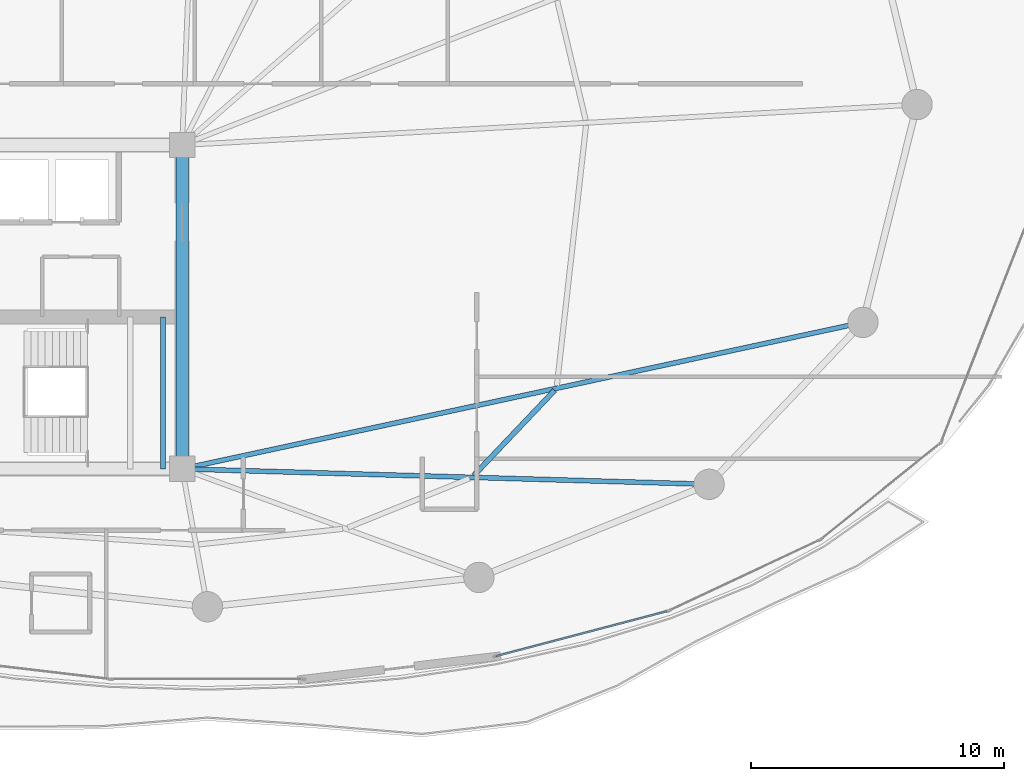
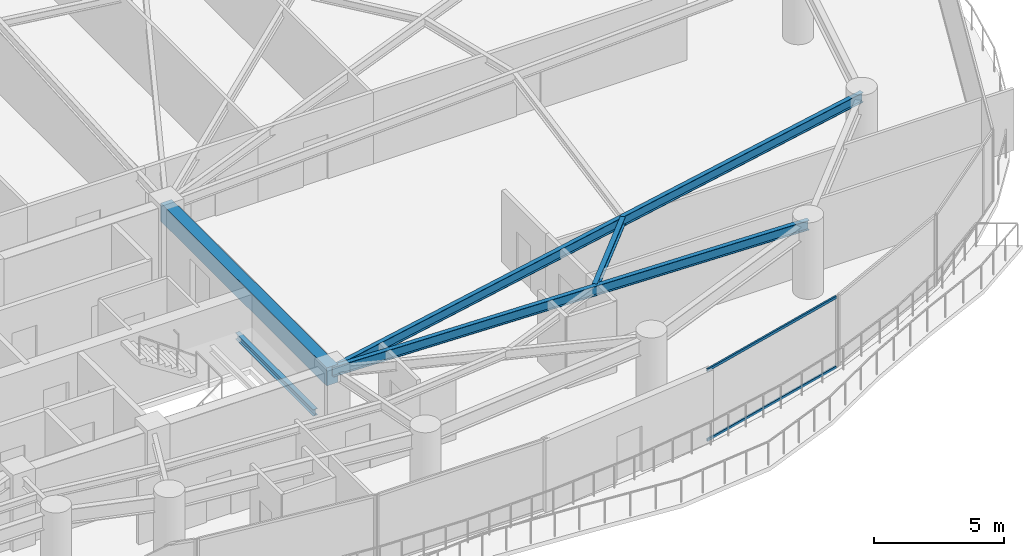
# One storey, part 13 of 33: 5 beams, 2 members, 1 element without a shape of its own.
"""IFC4 building model written with IfcOpenShell, lengths in metres."""

import ifcopenshell
import ifcopenshell.guid

model = None  # the IFC model being written
_history = None  # IfcOwnerHistory: only IFC2X3 demands one
_inside = {}  # id of a spatial element -> (the spatial element, [elements in it])
_under = {}  # id of a project, library or spatial element -> (it, [spatial elements below it])
_declared = {}  # id of a project -> (the project, [libraries it declares])
_typed = {}  # id of a type object -> (the type object, [elements of that type])
_made_of = {}  # id of a material, layer set ... -> (it, [elements and type objects made of it])


def new_model(schema):
    """Start an empty IFC model of exactly this schema.

    Asked for "IFC4X3", IfcOpenShell would pick the latest addendum, in which some entities
    have other attributes; the version numbers below select the first issue.
    IFC2X3 requires an IfcOwnerHistory on every rooted entity: one is made here for all.
    """
    global model, _history
    if schema == "IFC4X3":
        model = ifcopenshell.file(schema_version=(4, 3, 0, 0))
    else:
        model = ifcopenshell.file(schema=schema)
    _inside.clear()
    _under.clear()
    _declared.clear()
    _typed.clear()
    _made_of.clear()
    _history = None
    if model.schema == "IFC2X3":
        org = make("IfcOrganization", Name="unknown")
        user = make(
            "IfcPersonAndOrganization",
            ThePerson=make("IfcPerson", FamilyName="unknown"),
            TheOrganization=org,
        )
        app = make(
            "IfcApplication",
            ApplicationDeveloper=org,
            Version="unknown",
            ApplicationFullName="unknown",
            ApplicationIdentifier="unknown",
        )
        _history = make(
            "IfcOwnerHistory",
            OwningUser=user,
            OwningApplication=app,
            ChangeAction="ADDED",
            CreationDate=0,
        )
    return model


def make(cls, **values):
    """One entity of the class cls with the attributes given. An attribute that is None is left unset."""
    return model.create_entity(
        cls, **{name: value for name, value in values.items() if value is not None}
    )


def rooted(cls, **values):
    """An entity with a GlobalId (a new one), such as an element, a storey or a relation."""
    return make(cls, GlobalId=ifcopenshell.guid.new(), OwnerHistory=_history, **values)


def si_unit(unit_type, name, prefix=None):
    """IfcSIUnit, for example si_unit("LENGTHUNIT", "METRE", prefix="MILLI")."""
    return make("IfcSIUnit", UnitType=unit_type, Prefix=prefix, Name=name)


def assignment(units):
    """IfcUnitAssignment: the units of a project."""
    return None if units is None else make("IfcUnitAssignment", Units=units)


def point(xyz):
    """IfcCartesianPoint."""
    return None if xyz is None else make("IfcCartesianPoint", Coordinates=xyz)


def direction(xyz):
    """IfcDirection."""
    return None if xyz is None else make("IfcDirection", DirectionRatios=xyz)


def frame(location, z_axis=None, x_axis=None):
    """IfcAxis2Placement3D, a coordinate frame: its origin and axes. An axis left out is left unset."""
    return make(
        "IfcAxis2Placement3D",
        Location=point(location),
        Axis=direction(z_axis),
        RefDirection=direction(x_axis),
    )


def frame_2d(location, x_axis=None):
    """IfcAxis2Placement2D, a coordinate frame in the plane: its origin and x axis."""
    return make(
        "IfcAxis2Placement2D", Location=point(location), RefDirection=direction(x_axis)
    )


def origin():
    """The frame at (0, 0, 0) with its axes left unset."""
    return frame((0.0, 0.0, 0.0))


def origin_2d():
    """The frame at (0, 0) in the plane with its x axis left unset."""
    return frame_2d((0.0, 0.0))


def place(relative_to, where):
    """IfcLocalPlacement: puts the frame where relative to a parent placement (None: the world)."""
    return make(
        "IfcLocalPlacement", PlacementRelTo=relative_to, RelativePlacement=where
    )


def context(
    kind, dimensions, precision=None, world=None, true_north=None, identifier=None
):
    """IfcGeometricRepresentationContext, for example the 3D "Model" context."""
    return make(
        "IfcGeometricRepresentationContext",
        ContextIdentifier=identifier,
        ContextType=kind,
        CoordinateSpaceDimension=dimensions,
        Precision=precision,
        WorldCoordinateSystem=world,
        TrueNorth=true_north,
    )


def subcontext(parent, identifier, kind, view, scale=None):
    """IfcGeometricRepresentationSubContext, for example "Body" below "Model"."""
    return make(
        "IfcGeometricRepresentationSubContext",
        ContextIdentifier=identifier,
        ContextType=kind,
        ParentContext=parent,
        TargetScale=scale,
        TargetView=view,
    )


def project(units=None, contexts=None):
    """IfcProject with its units and contexts."""
    return rooted(
        "IfcProject",
        Name="project",
        RepresentationContexts=contexts,
        UnitsInContext=assignment(units),
    )


def spatial(cls, under=None, at=None, **own):
    """A site, building, storey or space (cls), placed at a placement, below another one or the project."""
    s = rooted(cls, ObjectPlacement=at, **own)
    if under is not None:
        _under.setdefault(under.id(), (under, []))[1].append(s)
    return s


def profile(cls, at=None, kind="AREA", **sizes):
    """A parametric profile (cls). Its sizes go by their IFC names, for example OverallWidth=200.0."""
    return make(cls, ProfileType=kind, Position=at, **sizes)


def rectangle(**sizes):
    """IfcRectangleProfileDef."""
    return profile("IfcRectangleProfileDef", **sizes)


def hollow_rectangle(**sizes):
    """IfcRectangleHollowProfileDef."""
    return profile("IfcRectangleHollowProfileDef", **sizes)


def i_section(**sizes):
    """IfcIShapeProfileDef."""
    return profile("IfcIShapeProfileDef", **sizes)


def extrude(swept, where, along, depth):
    """IfcExtrudedAreaSolid: the profile swept, set in the frame where, extruded along a direction by depth."""
    return make(
        "IfcExtrudedAreaSolid",
        SweptArea=swept,
        Position=where,
        ExtrudedDirection=direction(along),
        Depth=depth,
    )


def shape(context_of_items, identifier, shape_type, items):
    """IfcShapeRepresentation: the items that make up one representation, for example the "Body"."""
    return make(
        "IfcShapeRepresentation",
        ContextOfItems=context_of_items,
        RepresentationIdentifier=identifier,
        RepresentationType=shape_type,
        Items=items,
    )


def material(Name=None, Category=None):
    """IfcMaterial."""
    return make("IfcMaterial", Name=Name, Category=Category)


def layer(
    of_material, thickness, ventilated=None, Name=None, Category=None, Priority=None
):
    """IfcMaterialLayer: one layer of a wall or slab, of a material (None: an air gap)."""
    return make(
        "IfcMaterialLayer",
        Material=of_material,
        LayerThickness=thickness,
        IsVentilated=ventilated,
        Name=Name,
        Category=Category,
        Priority=Priority,
    )


def layer_set(layers, Name=None):
    """IfcMaterialLayerSet."""
    return make("IfcMaterialLayerSet", MaterialLayers=layers, LayerSetName=Name)


def material_profile(
    of_material, cross_section, Name=None, Category=None, Priority=None
):
    """IfcMaterialProfile: a cross section and its material."""
    return make(
        "IfcMaterialProfile",
        Name=Name,
        Material=of_material,
        Profile=cross_section,
        Priority=Priority,
        Category=Category,
    )


def profile_set(profiles, Name=None, composite=None):
    """IfcMaterialProfileSet."""
    return make(
        "IfcMaterialProfileSet",
        Name=Name,
        MaterialProfiles=profiles,
        CompositeProfile=composite,
    )


def made_of(thing, what):
    """Note that an element or type object is made of a material, layer set ...; save() writes the relation."""
    if what is not None:
        _made_of.setdefault(what.id(), (what, []))[1].append(thing)
    return thing


def type_object(cls, material=None, **own):
    """A type object (cls), such as IfcWallType, which elements share."""
    return made_of(rooted(cls, **own), material)


def element(
    cls,
    number,
    at=None,
    inside=None,
    cuts=None,
    type_object=None,
    material=None,
    context=None,
    identifier="Body",
    shape_type=None,
    held_by="IfcProductDefinitionShape",
    body=None,
    shapes=None,
    **own,
):
    """One element of the class cls, such as IfcWall. Its Tag is "e" and its number.

    at: its placement. inside: the storey or other place that contains it. cuts: it is an
    opening in that element (IfcRelVoidsElement). A single representation is given by context,
    identifier, shape_type and body (its items); several are given by shapes. held_by: the class
    of the entity that holds the representations. save() writes the other relations.
    """
    e = rooted(cls, Tag="e%d" % number, ObjectPlacement=at, **own)
    if body is not None:
        shapes = [shape(context, identifier, shape_type, body)]
    if shapes is not None:
        e.Representation = make(held_by, Representations=shapes)
    if inside is not None:
        _inside.setdefault(inside.id(), (inside, []))[1].append(e)
    if cuts is not None:
        rooted(
            "IfcRelVoidsElement", RelatingBuildingElement=cuts, RelatedOpeningElement=e
        )
    if type_object is not None:
        _typed.setdefault(type_object.id(), (type_object, []))[1].append(e)
    return made_of(e, material)


def aggregate(whole, parts):
    """IfcRelAggregates: a whole, such as a stair, and the parts it consists of."""
    return rooted("IfcRelAggregates", RelatingObject=whole, RelatedObjects=parts)


def save(model, path):
    """Write the relations noted so far, then the file.

    IfcRelAggregates (storeys below a building ...), IfcRelContainedInSpatialStructure (elements
    in a storey), IfcRelDefinesByType, IfcRelAssociatesMaterial and IfcRelDeclares: one each for
    every whole, place, type object, material and project.
    """
    for whole, parts in _under.values():
        aggregate(whole, parts)
    for where, things in _inside.values():
        rooted(
            "IfcRelContainedInSpatialStructure",
            RelatedElements=things,
            RelatingStructure=where,
        )
    for kind, things in _typed.values():
        rooted("IfcRelDefinesByType", RelatedObjects=things, RelatingType=kind)
    for what, things in _made_of.values():
        rooted("IfcRelAssociatesMaterial", RelatedObjects=things, RelatingMaterial=what)
    for by, libraries in _declared.values():
        rooted("IfcRelDeclares", RelatingContext=by, RelatedDefinitions=libraries)
    model.write(path)


model = new_model("IFC4")

# Units and contexts
model_context = context("Model", 3, precision=1e-05, world=origin(), true_north=direction((0.0, 1.0)))
body_context = subcontext(model_context, "Body", "Model", "MODEL_VIEW")
ifc_project = project(units=[si_unit("LENGTHUNIT", "METRE"), si_unit("AREAUNIT", "SQUARE_METRE"), si_unit("VOLUMEUNIT", "CUBIC_METRE"), si_unit("PLANEANGLEUNIT", "RADIAN"), si_unit("MASSUNIT", "GRAM", prefix="KILO")], contexts=[model_context])

# Site, building, storey
site_placement = place(None, origin())
site = spatial("IfcSite", under=ifc_project, at=site_placement, CompositionType="ELEMENT")
building_placement = place(site_placement, origin())
building = spatial("IfcBuilding", under=site, at=building_placement, Name="Kazevale Care Tower and Concert Hall", CompositionType="ELEMENT")
storey_placement = place(building_placement, frame((0.0, 0.0, 149.39990234375)))
storey = spatial("IfcBuildingStorey", under=building, at=storey_placement, Name="L39", CompositionType="ELEMENT", Elevation=149.39990234375)

# Curtain wall, members
ifc_material_1 = material(Name="Aluminium 6063-T6 and Low-E Glass", Category="aluminium")
ifc_layer = layer(ifc_material_1, 0.179931640625)
ifc_layer_set = layer_set([ifc_layer], Name="Aluminium 6063-T6 and Low-E Glass")
curtain_wall_type = type_object("IfcCurtainWallType", Name="Sheltered Concave Balcony Curtain Wall CW-5", PredefinedType="NOTDEFINED", material=ifc_layer_set)
curtain_wall_placement = place(storey_placement, origin())
curtain_wall = element("IfcCurtainWall", 1, at=curtain_wall_placement, inside=storey, type_object=curtain_wall_type, Name="cw:L39:f04", PredefinedType="NOTDEFINED")
ifc_material_2 = material(Name="Aluminium 6063-T6", Category="aluminium")
ifc_material_profile_1 = material_profile(ifc_material_2, hollow_rectangle(XDim=0.074951171875, YDim=0.1201171875, WallThickness=0.00390625, at=origin_2d()), Name="ALU75x120x4")
ifc_profile_set_1 = profile_set([ifc_material_profile_1], Name="Aluminium 6063-T6")
member_type = type_object("IfcMemberType", Name="CW-5 Transom ALU75x120x4", PredefinedType="USERDEFINED", material=ifc_profile_set_1)
member_1_placement = place(storey_placement, frame((63.16845703125, 17.971923828125, 0.03759765625), z_axis=(-0.967142752699, -0.254233939321, 0.0), x_axis=(0.254233939321, -0.967142752699, 0.0)))
member_1 = element("IfcMember", 2, at=member_1_placement, type_object=member_type, Name="CW-5 transom 1.1", ObjectType="TRANSOM", PredefinedType="USERDEFINED", context=body_context, shape_type="SweptSolid", body=[
    extrude(hollow_rectangle(XDim=0.074951171875, YDim=0.1201171875, WallThickness=0.00390625, at=origin_2d()), origin(), (0.0, 0.0, 1.0), 6.996826171875),
])
member_2_placement = place(storey_placement, frame((63.16845703125, 17.971923828125, 3.322509765625), z_axis=(-0.967142752699, -0.254233939321, 0.0), x_axis=(0.254233939321, -0.967142752699, 0.0)))
member_2 = element("IfcMember", 3, at=member_2_placement, type_object=member_type, Name="CW-5 transom 1.2", ObjectType="TRANSOM", PredefinedType="USERDEFINED", context=body_context, shape_type="SweptSolid", body=[
    extrude(hollow_rectangle(XDim=0.074951171875, YDim=0.1201171875, WallThickness=0.00390625, at=origin_2d()), origin(), (0.0, 0.0, 1.0), 6.996826171875),
])
aggregate(curtain_wall, [member_1, member_2])

# Beams
ifc_material_3 = material(Name="Concrete C60", Category="concrete")
ifc_material_profile_2 = material_profile(ifc_material_3, rectangle(XDim=0.5, YDim=0.85009765625, at=origin_2d()), Name="RC-B500x850")
ifc_profile_set_2 = profile_set([ifc_material_profile_2], Name="Concrete C60")
beam_type_1 = type_object("IfcBeamType", Name="Core Coupling Beam RC500x850", PredefinedType="LINTEL", material=ifc_profile_set_2)
beam_1_placement = place(storey_placement, frame((44.0, 23.60009765625, 2.93505859375), z_axis=(0.0, 1.0, 0.0), x_axis=(-1.0, 0.0, 0.0)))
element("IfcBeam", 4, at=beam_1_placement, inside=storey, type_object=beam_type_1, Name="beam:L39:coretie:4", PredefinedType="LINTEL", context=body_context, shape_type="SweptSolid", body=[
    extrude(rectangle(XDim=0.5, YDim=0.85009765625, at=origin_2d()), origin(), (0.0, 0.0, 1.0), 12.7998046875),
])
ifc_material_4 = material(Name="Steel ASTM A572 Gr 50", Category="steel")
ifc_material_profile_3 = material_profile(ifc_material_4, i_section(OverallWidth=0.19091796875, OverallDepth=0.4599609375, WebThickness=0.010009765625, FlangeThickness=0.01611328125, at=origin_2d()), Name="W460x82")
ifc_profile_set_3 = profile_set([ifc_material_profile_3], Name="Steel ASTM A572 Gr 50")
beam_type_2 = type_object("IfcBeamType", Name="Radial Floor Beam W460x82", PredefinedType="BEAM", material=ifc_profile_set_3)
beam_2_placement = place(storey_placement, frame((44.0, 23.60009765625, 3.130126953125), z_axis=(0.99957133157, -0.029277177187, 0.0), x_axis=(0.029277177187, 0.99957133157, 0.0)))
element("IfcBeam", 5, at=beam_2_placement, inside=storey, type_object=beam_type_2, Name="beam:L39:rad:15", PredefinedType="BEAM", context=body_context, shape_type="SweptSolid", body=[
    extrude(i_section(OverallWidth=0.19091796875, OverallDepth=0.4599609375, WebThickness=0.010009765625, FlangeThickness=0.01611328125, at=origin_2d()), origin(), (0.0, 0.0, 1.0), 20.839111328125),
])
beam_3_placement = place(storey_placement, frame((44.0, 23.60009765625, 3.130126953125), z_axis=(0.97762801725, 0.210341293823, 0.0), x_axis=(-0.210341293823, 0.97762801725, 0.0)))
element("IfcBeam", 6, at=beam_3_placement, inside=storey, type_object=beam_type_2, Name="beam:L39:rad:16", PredefinedType="BEAM", context=body_context, shape_type="SweptSolid", body=[
    extrude(i_section(OverallWidth=0.19091796875, OverallDepth=0.4599609375, WebThickness=0.010009765625, FlangeThickness=0.01611328125, at=origin_2d()), origin(), (0.0, 0.0, 1.0), 27.525634765625),
])
ifc_material_profile_4 = material_profile(ifc_material_4, i_section(OverallWidth=0.205078125, OverallDepth=0.35400390625, WebThickness=0.009521484375, FlangeThickness=0.016845703125, at=origin_2d()), Name="W360x79")
ifc_profile_set_4 = profile_set([ifc_material_profile_4], Name="Steel ASTM A572 Gr 50")
beam_type_3 = type_object("IfcBeamType", Name="Secondary Floor Joist W360x79", PredefinedType="JOIST", material=ifc_profile_set_4)
beam_4_placement = place(storey_placement, frame((55.529052734375, 23.341064453125, 3.18310546875), z_axis=(0.688792288395, 0.724958746032, 0.0), x_axis=(-0.724958746032, 0.688792288395, 0.0)))
element("IfcBeam", 7, at=beam_4_placement, inside=storey, type_object=beam_type_3, Name="beam:L39:joist:15", PredefinedType="JOIST", context=body_context, shape_type="SweptSolid", body=[
    extrude(i_section(OverallWidth=0.205078125, OverallDepth=0.35400390625, WebThickness=0.009521484375, FlangeThickness=0.016845703125, at=origin_2d()), origin(), (0.0, 0.0, 1.0), 4.644287109375),
])
ifc_material_profile_5 = material_profile(ifc_material_4, i_section(OverallWidth=0.202880859375, OverallDepth=0.302978515625, WebThickness=0.007568359375, FlangeThickness=0.01318359375, at=origin_2d()), Name="W310x60")
ifc_profile_set_5 = profile_set([ifc_material_profile_5], Name="Steel ASTM A572 Gr 50")
beam_type_4 = type_object("IfcBeamType", Name="Stair & Balcony Trimmer W310x60", PredefinedType="BEAM", material=ifc_profile_set_5)
beam_5_placement = place(storey_placement, frame((43.25, 23.60009765625, 1.448486328125), z_axis=(0.0, 1.0, 0.0), x_axis=(-1.0, 0.0, 0.0)))
element("IfcBeam", 8, at=beam_5_placement, inside=storey, type_object=beam_type_4, Name="beam:L39:sttrim:ST2b", PredefinedType="BEAM", context=body_context, shape_type="SweptSolid", body=[
    extrude(i_section(OverallWidth=0.202880859375, OverallDepth=0.302978515625, WebThickness=0.007568359375, FlangeThickness=0.01318359375, at=origin_2d()), origin(), (0.0, 0.0, 1.0), 6.0),
])

save(model, "model.ifc")
